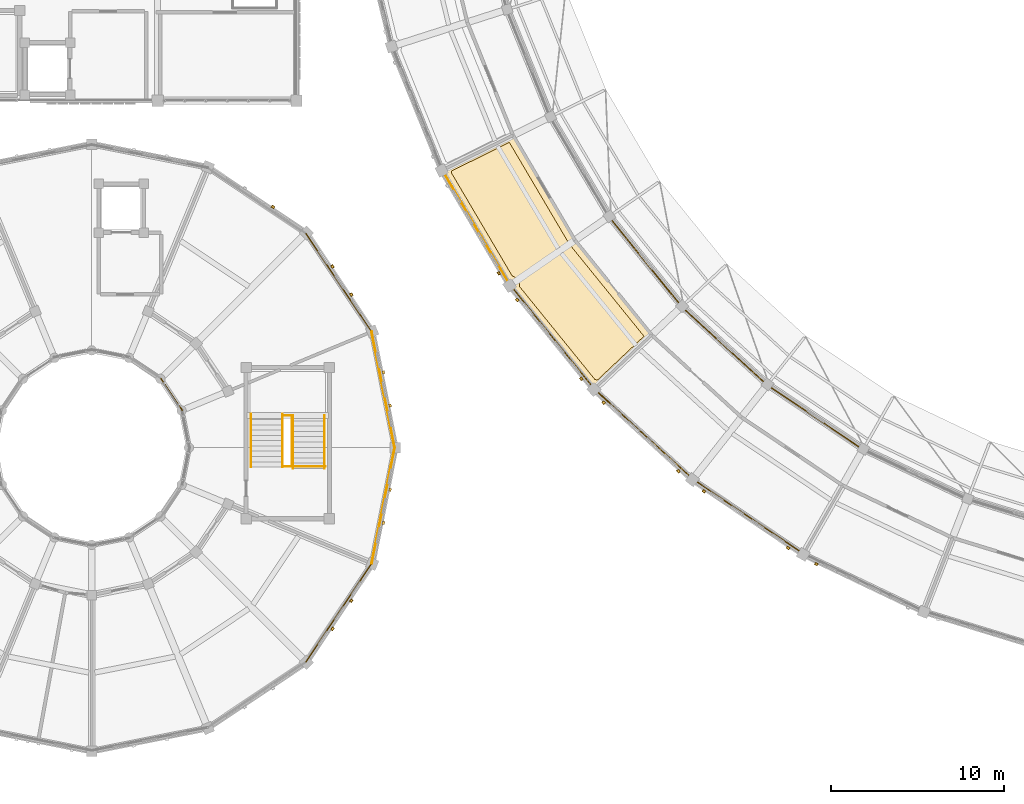
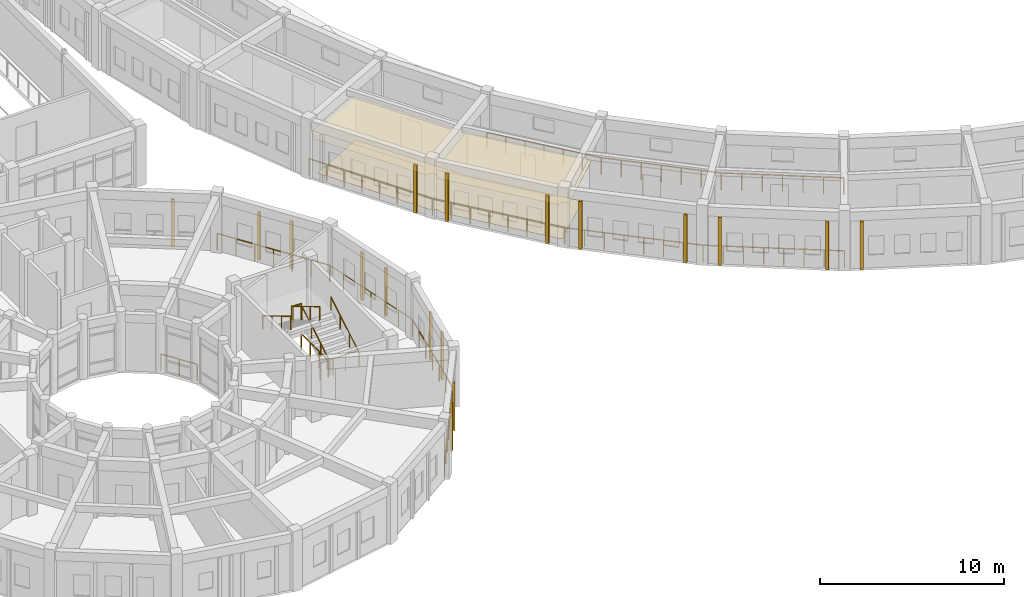
# One storey, part 96 of 112: 19 coverings, 19 railings.
"""IFC4 building model written with IfcOpenShell, lengths in metres."""

from ifc_helpers import new_model, si_unit, direction, frame, origin, origin_2d, place, context, subcontext, project, spatial, polyline, rectangle, circle, outline, extrude, material, layer, layer_set, type_object, element, save


model = new_model("IFC4")

# Units and contexts
model_context = context("Model", 3, precision=1e-05, world=origin(), true_north=direction((0.0, 1.0)))
body_context = subcontext(model_context, "Body", "Model", "MODEL_VIEW")
ifc_project = project(units=[si_unit("LENGTHUNIT", "METRE"), si_unit("AREAUNIT", "SQUARE_METRE"), si_unit("VOLUMEUNIT", "CUBIC_METRE"), si_unit("PLANEANGLEUNIT", "RADIAN"), si_unit("MASSUNIT", "GRAM", prefix="KILO")], contexts=[model_context])

# Site, building, storey
site_placement = place(None, origin())
site = spatial("IfcSite", under=ifc_project, at=site_placement, CompositionType="ELEMENT")
building_placement = place(site_placement, origin())
building = spatial("IfcBuilding", under=site, at=building_placement, Name="Celadon Cloister-Ring School", CompositionType="ELEMENT")
storey_placement = place(building_placement, frame((0.0, 0.0, 8.5)))
storey = spatial("IfcBuildingStorey", under=building, at=storey_placement, Name="L02", CompositionType="ELEMENT", Elevation=8.5)

# Coverings
ifc_material_1 = material(Name="Mineral-fibre acoustic ceiling board")
ifc_layer_1 = layer(ifc_material_1, 0.02001953125)
ifc_layer_set_1 = layer_set([ifc_layer_1], Name="Mineral-fibre acoustic ceiling board")
covering_type_1 = type_object("IfcCoveringType", Name="CV-CL1", PredefinedType="CEILING", material=ifc_layer_set_1)
covering_1_placement = place(storey_placement, frame((0.0, 0.0, 2.550048828125)))
element("IfcCovering", 1, at=covering_1_placement, inside=storey, type_object=covering_type_1, Name="Acoustic Ceiling 0018", PredefinedType="CEILING", context=body_context, shape_type="SweptSolid", body=[
    extrude(outline(polyline([(40.56298828125, 36.238037109375), (44.2890625, 38.0810546875), (44.340087890625, 38.097900390625), (44.412109375, 38.094970703125), (44.4609375, 38.073974609375), (44.513916015625, 38.02587890625), (48.0830078125, 31.97607421875), (52.510986328125, 26.511962890625), (52.5439453125, 26.448974609375), (52.551025390625, 26.39599609375), (52.5419921875, 26.343017578125), (52.51806640625, 26.294921875), (52.493896484375, 26.26806640625), (49.48095703125, 23.431884765625), (49.451904296875, 23.4150390625), (49.43408203125, 23.47802734375), (49.385009765625, 23.55908203125), (49.31591796875, 23.6220703125), (49.23095703125, 23.662109375), (49.137939453125, 23.676025390625), (49.075927734375, 23.669921875), (48.987060546875, 23.637939453125), (48.922119140625, 23.591064453125), (44.472900390625, 29.080078125), (44.513916015625, 29.114990234375), (44.553955078125, 29.1630859375), (44.583984375, 29.218994140625), (44.60205078125, 29.279052734375), (44.60791015625, 29.341064453125), (44.60205078125, 29.403076171875), (44.570068359375, 29.491943359375), (44.513916015625, 29.56689453125), (44.466064453125, 29.60693359375), (44.409912109375, 29.636962890625), (44.35009765625, 29.655029296875), (44.2880859375, 29.660888671875), (44.22607421875, 29.655029296875), (44.166015625, 29.636962890625), (44.10791015625, 29.60498046875), (40.51904296875, 35.69091796875), (40.577880859375, 35.72998046875), (40.64111328125, 35.799072265625), (40.6708984375, 35.85498046875), (40.693115234375, 35.946044921875), (40.68896484375, 36.0390625), (40.6708984375, 36.09912109375), (40.6220703125, 36.179931640625), (40.56298828125, 36.238037109375)])), origin(), (0.0, 0.0, 1.0), 0.02001953125),
])
ifc_material_2 = material(Name="Polished cement-marble terrazzo tile", Category="masonry")
ifc_layer_2 = layer(ifc_material_2, 0.01806640625)
ifc_layer_set_2 = layer_set([ifc_layer_2], Name="Polished cement-marble terrazzo tile")
covering_type_2 = type_object("IfcCoveringType", Name="CV-FL1", PredefinedType="FLOORING", material=ifc_layer_set_2)
covering_2_placement = place(storey_placement, origin())
element("IfcCovering", 2, at=covering_2_placement, inside=storey, type_object=covering_type_2, Name="Terrazzo Flooring 0017", PredefinedType="FLOORING", context=body_context, shape_type="SweptSolid", body=[
    extrude(outline(polyline([(40.928955078125, 35.843017578125), (40.930908203125, 35.85400390625), (40.93603515625, 35.8779296875), (40.94091796875, 35.908935546875), (40.943115234375, 35.93310546875), (40.944091796875, 35.949951171875), (44.27197265625, 37.593017578125), (47.719970703125, 31.74609375), (47.72998046875, 31.72998046875), (47.740966796875, 31.716064453125), (52.031005859375, 26.422119140625), (49.340087890625, 23.888916015625), (49.31494140625, 23.89794921875), (49.2919921875, 23.905029296875), (49.260986328125, 23.912109375), (49.237060546875, 23.9169921875), (49.2080078125, 23.922119140625), (44.85498046875, 29.291015625), (44.85595703125, 29.297119140625), (44.85791015625, 29.3291015625), (44.85791015625, 29.35302734375), (44.85595703125, 29.385009765625), (44.85400390625, 29.408935546875), (44.84912109375, 29.43994140625), (44.843994140625, 29.464111328125), (44.8369140625, 29.4951171875), (44.830078125, 29.51806640625), (44.819091796875, 29.548095703125), (44.81005859375, 29.570068359375), (44.7958984375, 29.59912109375), (44.784912109375, 29.6201171875), (44.76904296875, 29.64697265625), (44.7548828125, 29.66796875), (44.736083984375, 29.693115234375), (44.720947265625, 29.7119140625), (44.699951171875, 29.735107421875), (44.681884765625, 29.7529296875), (44.658935546875, 29.77392578125), (44.639892578125, 29.7890625), (44.614990234375, 29.80810546875), (44.593994140625, 29.822021484375), (44.56689453125, 29.837890625), (44.5458984375, 29.84912109375), (44.51708984375, 29.863037109375), (44.4951171875, 29.8720703125), (44.465087890625, 29.883056640625), (44.44189453125, 29.889892578125), (44.43896484375, 29.889892578125), (40.928955078125, 35.843017578125)])), origin(), (0.0, 0.0, 1.0), 0.01806640625),
])
ifc_material_3 = material(Name="Perforated terracotta clay brick masonry", Category="masonry")
ifc_layer_3 = layer(ifc_material_3, 0.139892578125)
ifc_layer_set_3 = layer_set([ifc_layer_3], Name="Perforated terracotta clay brick masonry")
covering_type_3 = type_object("IfcCoveringType", Name="CV-SC1", PredefinedType="CLADDING", material=ifc_layer_set_3)
for number, where, z_axis, x_axis, name in (
    (3, (43.6650390625, 30.050048828125, 0.0), (0.0, 0.0, 1.0), (-0.507944339768, 0.861389892962, 0.0), "Brick Screen Rib 0260"),
    (4, (48.4169921875, 23.965087890625, 0.0), (0.0, 0.0, 1.0), (-0.629605187645, 0.776915251292, 0.0), "Brick Screen Rib 0262"),
    (5, (44.73388671875, 28.510009765625, 0.0), (0.0, 0.0, 1.0), (-0.629605187645, 0.776915251292, 0.0), "Brick Screen Rib 0263"),
    (6, (54.01708984375, 18.64892578125, 0.0), (0.0, 0.0, 1.0), (-0.73754847669, 0.675294191099, 0.0), "Brick Screen Rib 0264"),
    (7, (49.701904296875, 22.59912109375, 0.0), (0.0, 0.0, 1.0), (-0.73754847669, 0.675294191099, 0.0), "Brick Screen Rib 0265"),
    (8, (60.341064453125, 14.218017578125, 0.0), (0.0, 0.0, 1.0), (-0.829213207273, 0.558932426045, 0.0), "Brick Screen Rib 0266"),
    (9, (55.489990234375, 17.488037109375, 0.0), (0.0, 0.0, 1.0), (-0.829213207273, 0.558932426045, 0.0), "Brick Screen Rib 0267"),
    (10, (61.968017578125, 13.2880859375, 0.0), (0.0, 0.0, 1.0), (-0.902682940986, 0.430306295624, 0.0), "Brick Screen Rib 0269"),
):
    element("IfcCovering", number, at=place(storey_placement, frame(where, z_axis=z_axis, x_axis=x_axis)), inside=storey, type_object=covering_type_3, Name=name, PredefinedType="CLADDING", context=body_context, shape_type="SweptSolid", body=[
        extrude(rectangle(XDim=0.179931640625, YDim=0.139892578125, at=origin_2d()), origin(), (0.0, 0.0, 1.0), 3.172119140625),
    ])
for number, where, z_axis, x_axis, name in (
    (11, (37.01708984375, 24.339111328125, 0.0), (0.0, 0.0, 1.0), (0.195141675546, -0.980775064153, 0.0), "Brick Screen Rib 0638"),
    (12, (37.39794921875, 22.427001953125, 0.0), (0.0, 0.0, 1.0), (0.195141675546, -0.980775064153, 0.0), "Brick Screen Rib 0639"),
    (13, (34.075927734375, 30.444091796875, 0.0), (0.0, 0.0, 1.0), (0.55567181205, -0.831401730389, 0.0), "Brick Screen Rib 0640"),
    (14, (35.159912109375, 28.822998046875, 0.0), (0.0, 0.0, 1.0), (0.55567181205, -0.831401730389, 0.0), "Brick Screen Rib 0641"),
    (15, (30.64404296875, 33.8759765625, 0.0), (0.0, 0.0, 1.0), (0.831401730389, -0.55567181205, 0.0), "Brick Screen Rib 0643"),
    (16, (35.159912109375, 11.177001953125, 0.0), (0.0, 0.0, 1.0), (-0.55567181205, -0.831401730389, 0.0), "Brick Screen Rib 0668"),
    (17, (34.075927734375, 9.555908203125, 0.0), (0.0, 0.0, 1.0), (-0.55567181205, -0.831401730389, 0.0), "Brick Screen Rib 0669"),
    (18, (37.39794921875, 17.572998046875, 0.0), (0.0, 0.0, 1.0), (-0.195141675546, -0.980775064153, 0.0), "Brick Screen Rib 0670"),
    (19, (37.01708984375, 15.660888671875, 0.0), (0.0, 0.0, 1.0), (-0.195141675546, -0.980775064153, 0.0), "Brick Screen Rib 0671"),
):
    element("IfcCovering", number, at=place(storey_placement, frame(where, z_axis=z_axis, x_axis=x_axis)), inside=storey, type_object=covering_type_3, Name=name, PredefinedType="CLADDING", context=body_context, shape_type="SweptSolid", body=[
        extrude(rectangle(XDim=0.179931640625, YDim=0.139892578125, at=origin_2d()), origin(), (0.0, 0.0, 1.0), 3.152099609375),
    ])

# Railings
ifc_material_4 = material(Name="Structural steel S355JR", Category="steel")
railing_type_1 = type_object("IfcRailingType", Name="RL-BL1", PredefinedType="BALUSTRADE", material=ifc_material_4)
railing_1_placement = place(storey_placement, frame((40.410888671875, 35.993896484375, 0.0)))
element("IfcRailing", 20, at=railing_1_placement, inside=storey, type_object=railing_type_1, Name="Terrace Balustrade 0083", PredefinedType="BALUSTRADE", context=body_context, shape_type="SweptSolid", body=[
    extrude(circle(Radius=0.02392578125, at=origin_2d()), frame((0.0, 0.0, 1.09619140625), z_axis=(0.508006743226, -0.861353091848, 0.0), x_axis=(0.861353091848, 0.508006743226, 0.0)), (0.0, 0.0, 1.0), 7.697021484375),
    extrude(circle(Radius=0.02099609375, at=origin_2d()), origin(), (0.0, 0.0, 1.0), 1.072021484375),
    extrude(circle(Radius=0.02099609375, at=origin_2d()), frame((0.55859375, -0.947021484375, 0.0)), (0.0, 0.0, 1.0), 1.072021484375),
    extrude(circle(Radius=0.02099609375, at=origin_2d()), frame((1.1171875, -1.894287109375, 0.0)), (0.0, 0.0, 1.0), 1.072021484375),
    extrude(circle(Radius=0.02099609375, at=origin_2d()), frame((1.67578125, -2.84130859375, 0.0)), (0.0, 0.0, 1.0), 1.072021484375),
    extrude(circle(Radius=0.02099609375, at=origin_2d()), frame((2.234375, -3.78857421875, 0.0)), (0.0, 0.0, 1.0), 1.072021484375),
    extrude(circle(Radius=0.02099609375, at=origin_2d()), frame((2.79296875, -4.735595703125, 0.0)), (0.0, 0.0, 1.0), 1.072021484375),
    extrude(circle(Radius=0.02099609375, at=origin_2d()), frame((3.3515625, -5.682861328125, 0.0)), (0.0, 0.0, 1.0), 1.072021484375),
    extrude(circle(Radius=0.02099609375, at=origin_2d()), frame((3.91015625, -6.6298828125, 0.0)), (0.0, 0.0, 1.0), 1.072021484375),
])
railing_2_placement = place(storey_placement, frame((44.321044921875, 29.364013671875, 0.0)))
element("IfcRailing", 21, at=railing_2_placement, inside=storey, type_object=railing_type_1, Name="Terrace Balustrade 0084", PredefinedType="BALUSTRADE", context=body_context, shape_type="SweptSolid", body=[
    extrude(circle(Radius=0.02392578125, at=origin_2d()), frame((0.0, 0.0, 1.09619140625), z_axis=(0.629605941512, -0.776914640365, 0.0), x_axis=(0.776914640365, 0.629605941512, 0.0)), (0.0, 0.0, 1.0), 7.6982421875),
    extrude(circle(Radius=0.02099609375, at=origin_2d()), origin(), (0.0, 0.0, 1.0), 1.072021484375),
    extrude(circle(Radius=0.02099609375, at=origin_2d()), frame((0.6923828125, -0.8544921875, 0.0)), (0.0, 0.0, 1.0), 1.072021484375),
    extrude(circle(Radius=0.02099609375, at=origin_2d()), frame((1.384765625, -1.708740234375, 0.0)), (0.0, 0.0, 1.0), 1.072021484375),
    extrude(circle(Radius=0.02099609375, at=origin_2d()), frame((2.0771484375, -2.563232421875, 0.0)), (0.0, 0.0, 1.0), 1.072021484375),
    extrude(circle(Radius=0.02099609375, at=origin_2d()), frame((2.769775390625, -3.417724609375, 0.0)), (0.0, 0.0, 1.0), 1.072021484375),
    extrude(circle(Radius=0.02099609375, at=origin_2d()), frame((3.462158203125, -4.272216796875, 0.0)), (0.0, 0.0, 1.0), 1.072021484375),
    extrude(circle(Radius=0.02099609375, at=origin_2d()), frame((4.154541015625, -5.12646484375, 0.0)), (0.0, 0.0, 1.0), 1.072021484375),
    extrude(circle(Radius=0.02099609375, at=origin_2d()), frame((4.846923828125, -5.98095703125, 0.0)), (0.0, 0.0, 1.0), 1.072021484375),
])
railing_3_placement = place(storey_placement, frame((49.16796875, 23.383056640625, 0.0)))
element("IfcRailing", 22, at=railing_3_placement, inside=storey, type_object=railing_type_1, Name="Terrace Balustrade 0085", PredefinedType="BALUSTRADE", context=body_context, shape_type="SweptSolid", body=[
    extrude(circle(Radius=0.02392578125, at=origin_2d()), frame((0.0, 0.0, 1.09619140625), z_axis=(0.737537150433, -0.675306561298, 0.0), x_axis=(0.675306561298, 0.737537150433, 0.0)), (0.0, 0.0, 1.0), 7.697265625),
    extrude(circle(Radius=0.02099609375, at=origin_2d()), origin(), (0.0, 0.0, 1.0), 1.072021484375),
    extrude(circle(Radius=0.02099609375, at=origin_2d()), frame((0.81103515625, -0.74267578125, 0.0)), (0.0, 0.0, 1.0), 1.072021484375),
    extrude(circle(Radius=0.02099609375, at=origin_2d()), frame((1.6220703125, -1.485107421875, 0.0)), (0.0, 0.0, 1.0), 1.072021484375),
    extrude(circle(Radius=0.02099609375, at=origin_2d()), frame((2.43310546875, -2.227783203125, 0.0)), (0.0, 0.0, 1.0), 1.072021484375),
    extrude(circle(Radius=0.02099609375, at=origin_2d()), frame((3.243896484375, -2.97021484375, 0.0)), (0.0, 0.0, 1.0), 1.072021484375),
    extrude(circle(Radius=0.02099609375, at=origin_2d()), frame((4.054931640625, -3.712890625, 0.0)), (0.0, 0.0, 1.0), 1.072021484375),
    extrude(circle(Radius=0.02099609375, at=origin_2d()), frame((4.865966796875, -4.455322265625, 0.0)), (0.0, 0.0, 1.0), 1.072021484375),
    extrude(circle(Radius=0.02099609375, at=origin_2d()), frame((5.677001953125, -5.197998046875, 0.0)), (0.0, 0.0, 1.0), 1.072021484375),
])
railing_4_placement = place(storey_placement, frame((54.844970703125, 18.18505859375, 0.0)))
element("IfcRailing", 23, at=railing_4_placement, inside=storey, type_object=railing_type_1, Name="Terrace Balustrade 0086", PredefinedType="BALUSTRADE", context=body_context, shape_type="SweptSolid", body=[
    extrude(circle(Radius=0.02392578125, at=origin_2d()), frame((0.0, 0.0, 1.09619140625), z_axis=(0.829184941382, -0.558974358075, 0.0), x_axis=(0.558974358075, 0.829184941382, 0.0)), (0.0, 0.0, 1.0), 7.697998046875),
    extrude(circle(Radius=0.02099609375, at=origin_2d()), origin(), (0.0, 0.0, 1.0), 1.072021484375),
    extrude(circle(Radius=0.02099609375, at=origin_2d()), frame((0.911865234375, -0.61474609375, 0.0)), (0.0, 0.0, 1.0), 1.072021484375),
    extrude(circle(Radius=0.02099609375, at=origin_2d()), frame((1.82373046875, -1.2294921875, 0.0)), (0.0, 0.0, 1.0), 1.072021484375),
    extrude(circle(Radius=0.02099609375, at=origin_2d()), frame((2.735595703125, -1.84423828125, 0.0)), (0.0, 0.0, 1.0), 1.072021484375),
    extrude(circle(Radius=0.02099609375, at=origin_2d()), frame((3.6474609375, -2.458740234375, 0.0)), (0.0, 0.0, 1.0), 1.072021484375),
    extrude(circle(Radius=0.02099609375, at=origin_2d()), frame((4.559326171875, -3.073486328125, 0.0)), (0.0, 0.0, 1.0), 1.072021484375),
    extrude(circle(Radius=0.02099609375, at=origin_2d()), frame((5.47119140625, -3.688232421875, 0.0)), (0.0, 0.0, 1.0), 1.072021484375),
    extrude(circle(Radius=0.02099609375, at=origin_2d()), frame((6.383056640625, -4.302978515625, 0.0)), (0.0, 0.0, 1.0), 1.072021484375),
])
railing_5_placement = place(storey_placement, frame((50.0048828125, 33.31103515625, 0.0)))
element("IfcRailing", 24, at=railing_5_placement, inside=storey, type_object=railing_type_1, Name="Terrace Balustrade 0119", PredefinedType="BALUSTRADE", context=body_context, shape_type="SweptSolid", body=[
    extrude(circle(Radius=0.02392578125, at=origin_2d()), frame((0.0, 0.0, 1.09619140625), z_axis=(0.629608629722, -0.776912461851, 0.0), x_axis=(0.776912461851, 0.629608629722, 0.0)), (0.0, 0.0, 1.0), 6.672607421875),
    extrude(circle(Radius=0.02099609375, at=origin_2d()), origin(), (0.0, 0.0, 1.0), 1.072021484375),
    extrude(circle(Radius=0.02099609375, at=origin_2d()), frame((0.7001953125, -0.864013671875, 0.0)), (0.0, 0.0, 1.0), 1.072021484375),
    extrude(circle(Radius=0.02099609375, at=origin_2d()), frame((1.400390625, -1.72802734375, 0.0)), (0.0, 0.0, 1.0), 1.072021484375),
    extrude(circle(Radius=0.02099609375, at=origin_2d()), frame((2.1005859375, -2.592041015625, 0.0)), (0.0, 0.0, 1.0), 1.072021484375),
    extrude(circle(Radius=0.02099609375, at=origin_2d()), frame((2.80078125, -3.4560546875, 0.0)), (0.0, 0.0, 1.0), 1.072021484375),
    extrude(circle(Radius=0.02099609375, at=origin_2d()), frame((3.5009765625, -4.320068359375, 0.0)), (0.0, 0.0, 1.0), 1.072021484375),
    extrude(circle(Radius=0.02099609375, at=origin_2d()), frame((4.201171875, -5.18408203125, 0.0)), (0.0, 0.0, 1.0), 1.072021484375),
])
railing_6_placement = place(storey_placement, frame((54.2060546875, 28.126953125, 0.0)))
element("IfcRailing", 25, at=railing_6_placement, inside=storey, type_object=railing_type_1, Name="Terrace Balustrade 0120", PredefinedType="BALUSTRADE", context=body_context, shape_type="SweptSolid", body=[
    extrude(circle(Radius=0.02392578125, at=origin_2d()), frame((0.0, 0.0, 1.09619140625), z_axis=(0.737524632236, -0.675320232812, 0.0), x_axis=(0.675320232812, 0.737524632236, 0.0)), (0.0, 0.0, 1.0), 6.672119140625),
    extrude(circle(Radius=0.02099609375, at=origin_2d()), origin(), (0.0, 0.0, 1.0), 1.072021484375),
    extrude(circle(Radius=0.02099609375, at=origin_2d()), frame((0.820068359375, -0.7509765625, 0.0)), (0.0, 0.0, 1.0), 1.072021484375),
    extrude(circle(Radius=0.02099609375, at=origin_2d()), frame((1.640380859375, -1.501953125, 0.0)), (0.0, 0.0, 1.0), 1.072021484375),
    extrude(circle(Radius=0.02099609375, at=origin_2d()), frame((2.46044921875, -2.2529296875, 0.0)), (0.0, 0.0, 1.0), 1.072021484375),
    extrude(circle(Radius=0.02099609375, at=origin_2d()), frame((3.280517578125, -3.00390625, 0.0)), (0.0, 0.0, 1.0), 1.072021484375),
    extrude(circle(Radius=0.02099609375, at=origin_2d()), frame((4.100830078125, -3.7548828125, 0.0)), (0.0, 0.0, 1.0), 1.072021484375),
    extrude(circle(Radius=0.02099609375, at=origin_2d()), frame((4.9208984375, -4.505859375, 0.0)), (0.0, 0.0, 1.0), 1.072021484375),
])
railing_7_placement = place(storey_placement, frame((59.126953125, 23.62109375, 0.0)))
element("IfcRailing", 26, at=railing_7_placement, inside=storey, type_object=railing_type_1, Name="Terrace Balustrade 0121", PredefinedType="BALUSTRADE", context=body_context, shape_type="SweptSolid", body=[
    extrude(circle(Radius=0.02392578125, at=origin_2d()), frame((0.0, 0.0, 1.09619140625), z_axis=(0.829179794599, -0.558981992759, 0.0), x_axis=(0.558981992759, 0.829179794599, 0.0)), (0.0, 0.0, 1.0), 6.6728515625),
    extrude(circle(Radius=0.02099609375, at=origin_2d()), origin(), (0.0, 0.0, 1.0), 1.072021484375),
    extrude(circle(Radius=0.02099609375, at=origin_2d()), frame((0.922119140625, -0.62158203125, 0.0)), (0.0, 0.0, 1.0), 1.072021484375),
    extrude(circle(Radius=0.02099609375, at=origin_2d()), frame((1.84423828125, -1.243408203125, 0.0)), (0.0, 0.0, 1.0), 1.072021484375),
    extrude(circle(Radius=0.02099609375, at=origin_2d()), frame((2.7666015625, -1.864990234375, 0.0)), (0.0, 0.0, 1.0), 1.072021484375),
    extrude(circle(Radius=0.02099609375, at=origin_2d()), frame((3.688720703125, -2.486572265625, 0.0)), (0.0, 0.0, 1.0), 1.072021484375),
    extrude(circle(Radius=0.02099609375, at=origin_2d()), frame((4.61083984375, -3.1083984375, 0.0)), (0.0, 0.0, 1.0), 1.072021484375),
    extrude(circle(Radius=0.02099609375, at=origin_2d()), frame((5.532958984375, -3.72998046875, 0.0)), (0.0, 0.0, 1.0), 1.072021484375),
])
railing_8_placement = place(storey_placement, frame((37.659912109375, 20.0, 0.0)))
element("IfcRailing", 27, at=railing_8_placement, inside=storey, type_object=railing_type_1, Name="Terrace Balustrade 0345", PredefinedType="BALUSTRADE", context=body_context, shape_type="SweptSolid", body=[
    extrude(circle(Radius=0.02392578125, at=origin_2d()), frame((0.0, 0.0, 1.09619140625), z_axis=(-0.19505472673, 0.980792360074, 0.0), x_axis=(-0.980792360074, -0.19505472673, 0.0)), (0.0, 0.0, 1.0), 6.812744140625),
    extrude(circle(Radius=0.02099609375, at=origin_2d()), origin(), (0.0, 0.0, 1.0), 1.072021484375),
    extrude(circle(Radius=0.02099609375, at=origin_2d()), frame((-0.221435546875, 1.11376953125, 0.0)), (0.0, 0.0, 1.0), 1.072021484375),
    extrude(circle(Radius=0.02099609375, at=origin_2d()), frame((-0.44287109375, 2.227294921875, 0.0)), (0.0, 0.0, 1.0), 1.072021484375),
    extrude(circle(Radius=0.02099609375, at=origin_2d()), frame((-0.66455078125, 3.3408203125, 0.0)), (0.0, 0.0, 1.0), 1.072021484375),
    extrude(circle(Radius=0.02099609375, at=origin_2d()), frame((-0.885986328125, 4.45458984375, 0.0)), (0.0, 0.0, 1.0), 1.072021484375),
    extrude(circle(Radius=0.02099609375, at=origin_2d()), frame((-1.107421875, 5.568359375, 0.0)), (0.0, 0.0, 1.0), 1.072021484375),
    extrude(circle(Radius=0.02099609375, at=origin_2d()), frame((-1.328857421875, 6.681884765625, 0.0)), (0.0, 0.0, 1.0), 1.072021484375),
])
railing_9_placement = place(storey_placement, frame((36.3310546875, 26.681884765625, 0.0)))
element("IfcRailing", 28, at=railing_9_placement, inside=storey, type_object=railing_type_1, Name="Terrace Balustrade 0346", PredefinedType="BALUSTRADE", context=body_context, shape_type="SweptSolid", body=[
    extrude(circle(Radius=0.02392578125, at=origin_2d()), frame((0.0, 0.0, 1.09619140625), z_axis=(-0.555626116577, 0.831432269387, 0.0), x_axis=(-0.831432269387, -0.555626116577, 0.0)), (0.0, 0.0, 1.0), 6.8125),
    extrude(circle(Radius=0.02099609375, at=origin_2d()), origin(), (0.0, 0.0, 1.0), 1.072021484375),
    extrude(circle(Radius=0.02099609375, at=origin_2d()), frame((-0.630859375, 0.944091796875, 0.0)), (0.0, 0.0, 1.0), 1.072021484375),
    extrude(circle(Radius=0.02099609375, at=origin_2d()), frame((-1.26171875, 1.887939453125, 0.0)), (0.0, 0.0, 1.0), 1.072021484375),
    extrude(circle(Radius=0.02099609375, at=origin_2d()), frame((-1.892578125, 2.83203125, 0.0)), (0.0, 0.0, 1.0), 1.072021484375),
    extrude(circle(Radius=0.02099609375, at=origin_2d()), frame((-2.5234375, 3.776123046875, 0.0)), (0.0, 0.0, 1.0), 1.072021484375),
    extrude(circle(Radius=0.02099609375, at=origin_2d()), frame((-3.154296875, 4.719970703125, 0.0)), (0.0, 0.0, 1.0), 1.072021484375),
    extrude(circle(Radius=0.02099609375, at=origin_2d()), frame((-3.78515625, 5.6640625, 0.0)), (0.0, 0.0, 1.0), 1.072021484375),
])
railing_10_placement = place(storey_placement, frame((32.5458984375, 7.654052734375, 0.0)))
element("IfcRailing", 29, at=railing_10_placement, inside=storey, type_object=railing_type_1, Name="Terrace Balustrade 0359", PredefinedType="BALUSTRADE", context=body_context, shape_type="SweptSolid", body=[
    extrude(circle(Radius=0.02392578125, at=origin_2d()), frame((0.0, 0.0, 1.09619140625), z_axis=(0.555626116577, 0.831432269387, 0.0), x_axis=(-0.831432269387, 0.555626116577, 0.0)), (0.0, 0.0, 1.0), 6.8125),
    extrude(circle(Radius=0.02099609375, at=origin_2d()), origin(), (0.0, 0.0, 1.0), 1.072021484375),
    extrude(circle(Radius=0.02099609375, at=origin_2d()), frame((0.630859375, 0.944091796875, 0.0)), (0.0, 0.0, 1.0), 1.072021484375),
    extrude(circle(Radius=0.02099609375, at=origin_2d()), frame((1.26171875, 1.887939453125, 0.0)), (0.0, 0.0, 1.0), 1.072021484375),
    extrude(circle(Radius=0.02099609375, at=origin_2d()), frame((1.892578125, 2.83203125, 0.0)), (0.0, 0.0, 1.0), 1.072021484375),
    extrude(circle(Radius=0.02099609375, at=origin_2d()), frame((2.5234375, 3.776123046875, 0.0)), (0.0, 0.0, 1.0), 1.072021484375),
    extrude(circle(Radius=0.02099609375, at=origin_2d()), frame((3.154296875, 4.719970703125, 0.0)), (0.0, 0.0, 1.0), 1.072021484375),
    extrude(circle(Radius=0.02099609375, at=origin_2d()), frame((3.78515625, 5.6640625, 0.0)), (0.0, 0.0, 1.0), 1.072021484375),
])
railing_11_placement = place(storey_placement, frame((36.3310546875, 13.318115234375, 0.0)))
element("IfcRailing", 30, at=railing_11_placement, inside=storey, type_object=railing_type_1, Name="Terrace Balustrade 0360", PredefinedType="BALUSTRADE", context=body_context, shape_type="SweptSolid", body=[
    extrude(circle(Radius=0.02392578125, at=origin_2d()), frame((0.0, 0.0, 1.09619140625), z_axis=(0.19505472673, 0.980792360074, 0.0), x_axis=(-0.980792360074, 0.19505472673, 0.0)), (0.0, 0.0, 1.0), 6.812744140625),
    extrude(circle(Radius=0.02099609375, at=origin_2d()), origin(), (0.0, 0.0, 1.0), 1.072021484375),
    extrude(circle(Radius=0.02099609375, at=origin_2d()), frame((0.221435546875, 1.11376953125, 0.0)), (0.0, 0.0, 1.0), 1.072021484375),
    extrude(circle(Radius=0.02099609375, at=origin_2d()), frame((0.44287109375, 2.227294921875, 0.0)), (0.0, 0.0, 1.0), 1.072021484375),
    extrude(circle(Radius=0.02099609375, at=origin_2d()), frame((0.66455078125, 3.3408203125, 0.0)), (0.0, 0.0, 1.0), 1.072021484375),
    extrude(circle(Radius=0.02099609375, at=origin_2d()), frame((0.885986328125, 4.45458984375, 0.0)), (0.0, 0.0, 1.0), 1.072021484375),
    extrude(circle(Radius=0.02099609375, at=origin_2d()), frame((1.107421875, 5.568359375, 0.0)), (0.0, 0.0, 1.0), 1.072021484375),
    extrude(circle(Radius=0.02099609375, at=origin_2d()), frame((1.328857421875, 6.681884765625, 0.0)), (0.0, 0.0, 1.0), 1.072021484375),
])
railing_12_placement = place(storey_placement, frame((25.410888671875, 22.157958984375, 0.0)))
element("IfcRailing", 31, at=railing_12_placement, inside=storey, type_object=railing_type_1, Name="Terrace Balustrade 0362", PredefinedType="BALUSTRADE", context=body_context, shape_type="SweptSolid", body=[
    extrude(circle(Radius=0.02392578125, at=origin_2d()), frame((0.0, 0.0, 1.09619140625), z_axis=(-0.555595762933, 0.831452553193, 0.0), x_axis=(-0.831452553193, -0.555595762933, 0.0)), (0.0, 0.0, 1.0), 2.201171875),
    extrude(circle(Radius=0.02099609375, at=origin_2d()), origin(), (0.0, 0.0, 1.0), 1.072021484375),
    extrude(circle(Radius=0.02099609375, at=origin_2d()), frame((-0.611328125, 0.9150390625, 0.0)), (0.0, 0.0, 1.0), 1.072021484375),
    extrude(circle(Radius=0.02099609375, at=origin_2d()), frame((-1.222900390625, 1.830078125, 0.0)), (0.0, 0.0, 1.0), 1.072021484375),
])
ifc_material_5 = material(Name="Structural steel S355JR", Category="steel")
railing_type_2 = type_object("IfcRailingType", Name="RL-BL2", PredefinedType="BALUSTRADE", material=ifc_material_5)
railing_13_placement = place(storey_placement, frame((31.239990234375, 21.85009765625, 2.0)))
element("IfcRailing", 32, at=railing_13_placement, inside=storey, type_object=railing_type_2, Name="Interior Guard 0108", PredefinedType="BALUSTRADE", context=body_context, shape_type="SweptSolid", body=[
    extrude(circle(Radius=0.02392578125, at=origin_2d()), frame((0.0, 0.0, 1.09619140625), z_axis=(1.0, 0.0, 0.0), x_axis=(0.0, 1.0, 0.0)), (0.0, 0.0, 1.0), 0.52001953125),
    extrude(circle(Radius=0.02099609375, at=origin_2d()), origin(), (0.0, 0.0, 1.0), 1.072021484375),
    extrude(circle(Radius=0.02099609375, at=origin_2d()), frame((0.52001953125, 0.0, 0.0)), (0.0, 0.0, 1.0), 1.072021484375),
])
railing_14_placement = place(storey_placement, frame((31.239990234375, 18.9150390625, 0.0)))
element("IfcRailing", 33, at=railing_14_placement, inside=storey, type_object=railing_type_2, Name="Interior Guard 0109", PredefinedType="BALUSTRADE", context=body_context, shape_type="SweptSolid", body=[
    extrude(circle(Radius=0.02392578125, at=origin_2d()), frame((0.0, 0.0, 1.09619140625), z_axis=(1.0, 0.0, 0.0), x_axis=(0.0, 1.0, 0.0)), (0.0, 0.0, 1.0), 2.419921875),
    extrude(circle(Radius=0.02099609375, at=origin_2d()), origin(), (0.0, 0.0, 1.0), 1.072021484375),
    extrude(circle(Radius=0.02099609375, at=origin_2d()), frame((0.806640625, 0.0, 0.0)), (0.0, 0.0, 1.0), 1.072021484375),
    extrude(circle(Radius=0.02099609375, at=origin_2d()), frame((1.61328125, 0.0, 0.0)), (0.0, 0.0, 1.0), 1.072021484375),
    extrude(circle(Radius=0.02099609375, at=origin_2d()), frame((2.419921875, 0.0, 0.0)), (0.0, 0.0, 1.0), 1.072021484375),
])
railing_15_placement = place(storey_placement, frame((31.760009765625, 18.9150390625, 0.0)))
element("IfcRailing", 34, at=railing_15_placement, inside=storey, type_object=railing_type_2, Name="Interior Guard 0110", PredefinedType="BALUSTRADE", context=body_context, shape_type="SweptSolid", body=[
    extrude(circle(Radius=0.02392578125, at=origin_2d()), frame((0.0, 0.0, 1.09619140625), z_axis=(0.0, 1.0, 0.0), x_axis=(-1.0, 0.0, 0.0)), (0.0, 0.0, 1.0), 2.93505859375),
    extrude(circle(Radius=0.02099609375, at=origin_2d()), origin(), (0.0, 0.0, 1.0), 1.072021484375),
    extrude(circle(Radius=0.02099609375, at=origin_2d()), frame((0.0, 0.978271484375, 0.0)), (0.0, 0.0, 1.0), 1.072021484375),
    extrude(circle(Radius=0.02099609375, at=origin_2d()), frame((0.0, 1.956787109375, 0.0)), (0.0, 0.0, 1.0), 1.072021484375),
    extrude(circle(Radius=0.02099609375, at=origin_2d()), frame((0.0, 2.93505859375, 0.0)), (0.0, 0.0, 1.0), 1.072021484375),
])
ifc_material_6 = material(Name="Structural steel S355JR", Category="steel")
railing_type_3 = type_object("IfcRailingType", Name="RL-HR1", PredefinedType="HANDRAIL", material=ifc_material_6)
for number, where, name in (
    (35, (33.614990234375, 18.800048828125, 0.181884765625), "Stair Handrail 0104"),
    (36, (31.804931640625, 18.800048828125, 0.181884765625), "Stair Handrail 0105"),
):
    element("IfcRailing", number, at=place(storey_placement, frame(where)), inside=storey, type_object=railing_type_3, Name=name, PredefinedType="HANDRAIL", context=body_context, shape_type="SweptSolid", body=[
        extrude(circle(Radius=0.02099609375, at=origin_2d()), frame((0.0, 0.0, 0.87890625), z_axis=(0.0, 0.858969654429, 0.51202649616), x_axis=(-1.0, 0.0, 0.0)), (0.0, 0.0, 1.0), 3.55078125),
        extrude(circle(Radius=0.01806640625, at=origin_2d()), origin(), (0.0, 0.0, 1.0), 0.85791015625),
        extrude(circle(Radius=0.01806640625, at=origin_2d()), frame((0.0, 1.0166015625, 0.60595703125)), (0.0, 0.0, 1.0), 0.85791015625),
        extrude(circle(Radius=0.01806640625, at=origin_2d()), frame((0.0, 2.033447265625, 1.212158203125)), (0.0, 0.0, 1.0), 0.85791015625),
        extrude(circle(Radius=0.01806640625, at=origin_2d()), frame((0.0, 3.050048828125, 1.818115234375)), (0.0, 0.0, 1.0), 0.85791015625),
    ])
for number, where, name in (
    (37, (29.385009765625, 21.929931640625, 2.181884765625), "Stair Handrail 0106"),
    (38, (31.195068359375, 21.929931640625, 2.181884765625), "Stair Handrail 0107"),
):
    element("IfcRailing", number, at=place(storey_placement, frame(where)), inside=storey, type_object=railing_type_3, Name=name, PredefinedType="HANDRAIL", context=body_context, shape_type="SweptSolid", body=[
        extrude(circle(Radius=0.02099609375, at=origin_2d()), frame((0.0, 0.0, 0.87890625), z_axis=(0.0, -0.858969654429, 0.51202649616), x_axis=(1.0, 0.0, 0.0)), (0.0, 0.0, 1.0), 3.55078125),
        extrude(circle(Radius=0.01806640625, at=origin_2d()), origin(), (0.0, 0.0, 1.0), 0.85791015625),
        extrude(circle(Radius=0.01806640625, at=origin_2d()), frame((0.0, -1.0166015625, 0.60595703125)), (0.0, 0.0, 1.0), 0.85791015625),
        extrude(circle(Radius=0.01806640625, at=origin_2d()), frame((0.0, -2.033447265625, 1.212158203125)), (0.0, 0.0, 1.0), 0.85791015625),
        extrude(circle(Radius=0.01806640625, at=origin_2d()), frame((0.0, -3.050048828125, 1.818115234375)), (0.0, 0.0, 1.0), 0.85791015625),
    ])

save(model, "model.ifc")
